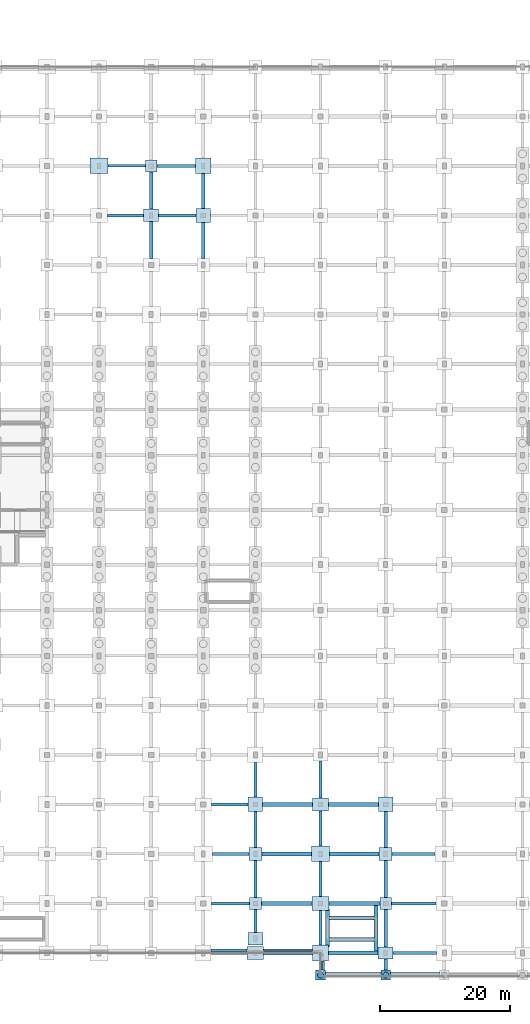
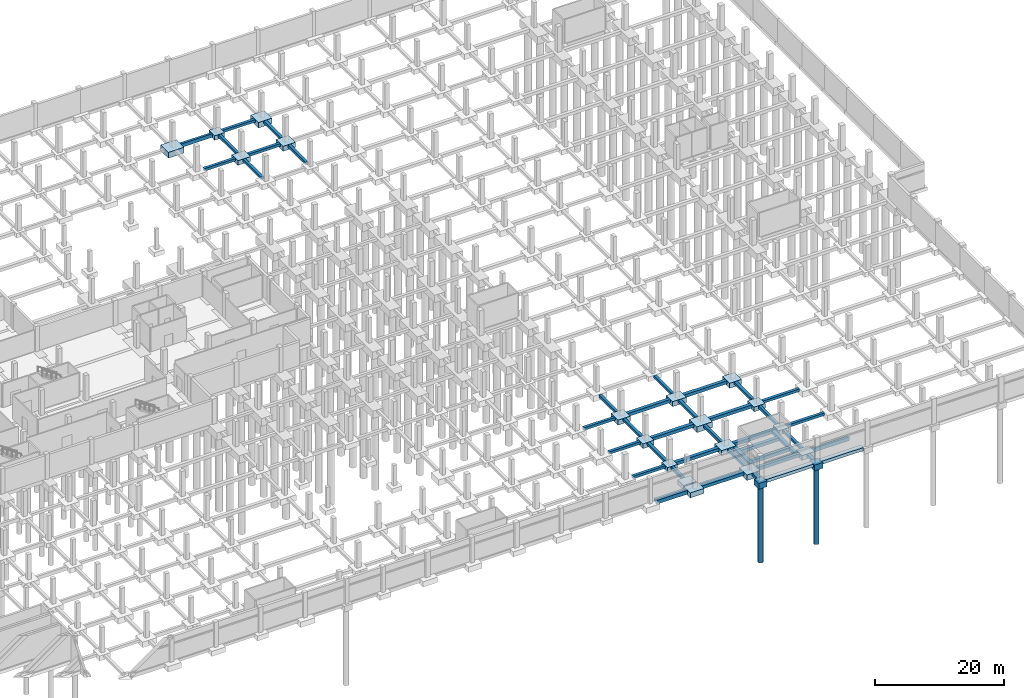
# One storey, part 17 of 50: 65 footings, 2 piles.
"""IFC4 building model written with IfcOpenShell, lengths in metres."""

from ifc_helpers import new_model, si_unit, direction, frame, origin, origin_2d, place, context, subcontext, project, spatial, polyline, rectangle, circle, outline, extrude, material, material_profile, profile_set, type_object, element, save


model = new_model("IFC4")

# Units and contexts
model_context = context("Model", 3, precision=1e-05, world=origin(), true_north=direction((0.0, 1.0)))
body_context = subcontext(model_context, "Body", "Model", "MODEL_VIEW")
ifc_project = project(units=[si_unit("LENGTHUNIT", "METRE"), si_unit("AREAUNIT", "SQUARE_METRE"), si_unit("VOLUMEUNIT", "CUBIC_METRE"), si_unit("PLANEANGLEUNIT", "RADIAN"), si_unit("MASSUNIT", "GRAM", prefix="KILO")], contexts=[model_context])

# Site, building, storey
site_placement = place(None, origin())
site = spatial("IfcSite", under=ifc_project, at=site_placement, CompositionType="ELEMENT")
building_placement = place(site_placement, origin())
building = spatial("IfcBuilding", under=site, at=building_placement, Name="Vekula Escarpment Museum", CompositionType="ELEMENT")
storey_placement = place(building_placement, frame((0.0, 0.0, -4.800048828125)))
storey = spatial("IfcBuildingStorey", under=building, at=storey_placement, Name="B1", CompositionType="ELEMENT", Elevation=-4.800048828125)

# Footings
ifc_material_1 = material(Name="Concrete C35/45", Category="concrete")
footing_type_1 = type_object("IfcFootingType", Name="FB-STRIP-600", PredefinedType="STRIP_FOOTING", material=ifc_material_1)
footing_1_placement = place(storey_placement, frame((0.0, 0.0, -0.599853515625)))
element("IfcFooting", 1, at=footing_1_placement, inside=storey, type_object=footing_type_1, Name="Plinth Wall Strip Footing 0075", PredefinedType="STRIP_FOOTING", context=body_context, shape_type="SweptSolid", body=[
    extrude(outline(polyline([(124.74609375, 0.64501953125), (124.74609375, 0.2041015625), (119.2041015625, 0.2041015625), (119.2041015625, 0.64501953125), (124.74609375, 0.64501953125)])), origin(), (0.0, 0.0, 1.0), 0.599853515625),
])
footing_2_placement = place(storey_placement, frame((0.0, 0.0, -0.599853515625)))
element("IfcFooting", 2, at=footing_2_placement, inside=storey, type_object=footing_type_1, Name="Plinth Wall Strip Footing 0076", PredefinedType="STRIP_FOOTING", context=body_context, shape_type="SweptSolid", body=[
    extrude(outline(polyline([(134.7958984375, 0.64501953125), (134.7958984375, 0.303955078125), (127.25390625, 0.303955078125), (127.25390625, 0.64501953125), (134.7958984375, 0.64501953125)])), origin(), (0.0, 0.0, 1.0), 0.599853515625),
])
footing_3_placement = place(storey_placement, frame((0.0, 0.0, -0.599853515625)))
element("IfcFooting", 3, at=footing_3_placement, inside=storey, type_object=footing_type_1, Name="Plinth Wall Strip Footing 0077", PredefinedType="STRIP_FOOTING", context=body_context, shape_type="SweptSolid", body=[
    extrude(outline(polyline([(136.64501953125, -2.64599609375), (136.25390625, -2.64599609375), (136.25390625, -1.2041015625), (136.64501953125, -1.2041015625), (136.64501953125, -2.64599609375)])), origin(), (0.0, 0.0, 1.0), 0.599853515625),
])
footing_4_placement = place(storey_placement, frame((0.0, 0.0, -0.599853515625)))
element("IfcFooting", 4, at=footing_4_placement, inside=storey, type_object=footing_type_1, Name="Plinth Wall Strip Footing 0078", PredefinedType="STRIP_FOOTING", context=body_context, shape_type="SweptSolid", body=[
    extrude(outline(polyline([(136.75390625, -3.794921875), (136.75390625, -2.955078125), (145.24609375, -2.955078125), (145.24609375, -3.794921875), (136.75390625, -3.794921875)])), origin(), (0.0, 0.0, 1.0), 0.599853515625),
])
footing_5_placement = place(storey_placement, frame((0.0, 0.0, -0.599853515625)))
element("IfcFooting", 5, at=footing_5_placement, inside=storey, type_object=footing_type_1, Name="Plinth Wall Strip Footing 0079", PredefinedType="STRIP_FOOTING", context=body_context, shape_type="SweptSolid", body=[
    extrude(outline(polyline([(146.75390625, -3.794921875), (146.75390625, -2.955078125), (154.24609375, -2.955078125), (154.24609375, -3.794921875), (146.75390625, -3.794921875)])), origin(), (0.0, 0.0, 1.0), 0.599853515625),
])
footing_6_placement = place(storey_placement, frame((0.0, 0.0, -0.599853515625)))
element("IfcFooting", 6, at=footing_6_placement, inside=storey, type_object=footing_type_1, Name="Stair Core Strip Footing ST-06 W", PredefinedType="STRIP_FOOTING", context=body_context, shape_type="SweptSolid", body=[
    extrude(outline(polyline([(137.375, 6.81591796875), (137.375, 0.884033203125), (137.2041015625, 0.884033203125), (137.2041015625, 1.2041015625), (136.77490234375, 1.2041015625), (136.77490234375, 6.49609375), (137.303955078125, 6.49609375), (137.303955078125, 6.81591796875), (137.375, 6.81591796875)])), origin(), (0.0, 0.0, 1.0), 0.599853515625),
])
footing_7_placement = place(storey_placement, frame((0.0, 0.0, -0.599853515625)))
element("IfcFooting", 7, at=footing_7_placement, inside=storey, type_object=footing_type_1, Name="Stair Core Strip Footing ST-06 E", PredefinedType="STRIP_FOOTING", context=body_context, shape_type="SweptSolid", body=[
    extrude(outline(polyline([(144.824951171875, 0.303955078125), (144.22509765625, 0.303955078125), (144.22509765625, 7.2958984375), (144.824951171875, 7.2958984375), (144.824951171875, 0.303955078125)])), origin(), (0.0, 0.0, 1.0), 0.599853515625),
])
footing_8_placement = place(storey_placement, frame((0.0, 0.0, -0.599853515625)))
element("IfcFooting", 8, at=footing_8_placement, inside=storey, type_object=footing_type_1, Name="Stair Core Strip Footing ST-06 S", PredefinedType="STRIP_FOOTING", context=body_context, shape_type="SweptSolid", body=[
    extrude(outline(polyline([(137.37890625, 1.77490234375), (137.37890625, 2.375), (144.220947265625, 2.375), (144.220947265625, 1.77490234375), (137.37890625, 1.77490234375)])), origin(), (0.0, 0.0, 1.0), 0.599853515625),
])
footing_9_placement = place(storey_placement, frame((0.0, 0.0, -0.599853515625)))
element("IfcFooting", 9, at=footing_9_placement, inside=storey, type_object=footing_type_1, Name="Stair Core Strip Footing ST-06 N", PredefinedType="STRIP_FOOTING", context=body_context, shape_type="SweptSolid", body=[
    extrude(outline(polyline([(137.37890625, 5.06494140625), (137.37890625, 5.6650390625), (144.220947265625, 5.6650390625), (144.220947265625, 5.06494140625), (137.37890625, 5.06494140625)])), origin(), (0.0, 0.0, 1.0), 0.599853515625),
])
ifc_material_2 = material(Name="Concrete C35/45", Category="concrete")
ifc_material_profile_1 = material_profile(ifc_material_2, rectangle(XDim=0.39990234375, YDim=0.699951171875, at=origin_2d()), Name="RC 400x700")
ifc_profile_set_1 = profile_set([ifc_material_profile_1], Name="Concrete C35/45")
footing_type_2 = type_object("IfcFootingType", Name="FB-TIE-400x700", PredefinedType="FOOTING_BEAM", material=ifc_profile_set_1)
footing_10_placement = place(storey_placement, frame((119.199951171875, 0.0, -0.349853515625), z_axis=(1.0, 0.0, 0.0), x_axis=(0.0, 1.0, 0.0)))
element("IfcFooting", 10, at=footing_10_placement, inside=storey, type_object=footing_type_2, Name="Foundation Tie Beam 018", PredefinedType="FOOTING_BEAM", context=body_context, shape_type="SweptSolid", body=[
    extrude(rectangle(XDim=0.39990234375, YDim=0.699951171875, at=origin_2d()), origin(), (0.0, 0.0, 1.0), 5.550048828125),
])
footing_11_placement = place(storey_placement, frame((147.14990234375, 0.0, -0.349853515625), z_axis=(1.0, 0.0, 0.0), x_axis=(0.0, 1.0, 0.0)))
element("IfcFooting", 11, at=footing_11_placement, inside=storey, type_object=footing_type_2, Name="Foundation Tie Beam 021", PredefinedType="FOOTING_BEAM", context=body_context, shape_type="SweptSolid", body=[
    extrude(rectangle(XDim=0.39990234375, YDim=0.699951171875, at=origin_2d()), origin(), (0.0, 0.0, 1.0), 6.650146484375),
])
footing_12_placement = place(storey_placement, frame((103.39990234375, 120.800048828125, -0.349853515625), z_axis=(1.0, 0.0, 0.0), x_axis=(0.0, 1.0, 0.0)))
element("IfcFooting", 12, at=footing_12_placement, inside=storey, type_object=footing_type_2, Name="Foundation Tie Beam 348", PredefinedType="FOOTING_BEAM", context=body_context, shape_type="SweptSolid", body=[
    extrude(rectangle(XDim=0.39990234375, YDim=0.699951171875, at=origin_2d()), origin(), (0.0, 0.0, 1.0), 5.7001953125),
])
ifc_material_3 = material(Name="Concrete C35/45", Category="concrete")
ifc_material_profile_2 = material_profile(ifc_material_3, rectangle(XDim=0.5, YDim=0.5, at=origin_2d()), Name="RC 500x500")
ifc_profile_set_2 = profile_set([ifc_material_profile_2], Name="Concrete C35/45")
footing_type_3 = type_object("IfcFootingType", Name="FB-TIE-500x500", PredefinedType="FOOTING_BEAM", material=ifc_profile_set_2)
footing_13_placement = place(storey_placement, frame((119.300048828125, 7.60009765625, -0.25), z_axis=(1.0, 0.0, 0.0), x_axis=(0.0, 1.0, 0.0)))
element("IfcFooting", 13, at=footing_13_placement, inside=storey, type_object=footing_type_3, Name="Foundation Tie Beam 037", PredefinedType="FOOTING_BEAM", context=body_context, shape_type="SweptSolid", body=[
    extrude(rectangle(XDim=0.5, YDim=0.5, at=origin_2d()), origin(), (0.0, 0.0, 1.0), 5.800048828125),
])
footing_14_placement = place(storey_placement, frame((146.89990234375, 7.60009765625, -0.25), z_axis=(1.0, 0.0, 0.0), x_axis=(0.0, 1.0, 0.0)))
element("IfcFooting", 14, at=footing_14_placement, inside=storey, type_object=footing_type_3, Name="Foundation Tie Beam 040", PredefinedType="FOOTING_BEAM", context=body_context, shape_type="SweptSolid", body=[
    extrude(rectangle(XDim=0.5, YDim=0.5, at=origin_2d()), origin(), (0.0, 0.0, 1.0), 6.800048828125),
])
footing_15_placement = place(storey_placement, frame((119.39990234375, 15.199951171875, -0.25), z_axis=(1.0, 0.0, 0.0), x_axis=(0.0, 1.0, 0.0)))
element("IfcFooting", 15, at=footing_15_placement, inside=storey, type_object=footing_type_3, Name="Foundation Tie Beam 056", PredefinedType="FOOTING_BEAM", context=body_context, shape_type="SweptSolid", body=[
    extrude(rectangle(XDim=0.5, YDim=0.5, at=origin_2d()), origin(), (0.0, 0.0, 1.0), 5.60009765625),
])
footing_16_placement = place(storey_placement, frame((147.0, 15.199951171875, -0.25), z_axis=(1.0, 0.0, 0.0), x_axis=(0.0, 1.0, 0.0)))
element("IfcFooting", 16, at=footing_16_placement, inside=storey, type_object=footing_type_3, Name="Foundation Tie Beam 059", PredefinedType="FOOTING_BEAM", context=body_context, shape_type="SweptSolid", body=[
    extrude(rectangle(XDim=0.5, YDim=0.5, at=origin_2d()), origin(), (0.0, 0.0, 1.0), 6.60009765625),
])
footing_17_placement = place(storey_placement, frame((119.25, 22.800048828125, -0.25), z_axis=(1.0, 0.0, 0.0), x_axis=(0.0, 1.0, 0.0)))
element("IfcFooting", 17, at=footing_17_placement, inside=storey, type_object=footing_type_3, Name="Foundation Tie Beam 074", PredefinedType="FOOTING_BEAM", context=body_context, shape_type="SweptSolid", body=[
    extrude(rectangle(XDim=0.5, YDim=0.5, at=origin_2d()), origin(), (0.0, 0.0, 1.0), 5.64990234375),
])
footing_18_placement = place(storey_placement, frame((103.300048828125, 113.199951171875, -0.25), z_axis=(1.0, 0.0, 0.0), x_axis=(0.0, 1.0, 0.0)))
element("IfcFooting", 18, at=footing_18_placement, inside=storey, type_object=footing_type_3, Name="Foundation Tie Beam 325", PredefinedType="FOOTING_BEAM", context=body_context, shape_type="SweptSolid", body=[
    extrude(rectangle(XDim=0.5, YDim=0.5, at=origin_2d()), origin(), (0.0, 0.0, 1.0), 5.550048828125),
])
footing_19_placement = place(storey_placement, frame((111.14990234375, 113.199951171875, -0.25), z_axis=(1.0, 0.0, 0.0), x_axis=(0.0, 1.0, 0.0)))
element("IfcFooting", 19, at=footing_19_placement, inside=storey, type_object=footing_type_3, Name="Foundation Tie Beam 326", PredefinedType="FOOTING_BEAM", context=body_context, shape_type="SweptSolid", body=[
    extrude(rectangle(XDim=0.5, YDim=0.5, at=origin_2d()), origin(), (0.0, 0.0, 1.0), 5.75),
])
footing_20_placement = place(storey_placement, frame((110.89990234375, 120.800048828125, -0.25), z_axis=(1.0, 0.0, 0.0), x_axis=(0.0, 1.0, 0.0)))
element("IfcFooting", 20, at=footing_20_placement, inside=storey, type_object=footing_type_3, Name="Foundation Tie Beam 349", PredefinedType="FOOTING_BEAM", context=body_context, shape_type="SweptSolid", body=[
    extrude(rectangle(XDim=0.5, YDim=0.5, at=origin_2d()), origin(), (0.0, 0.0, 1.0), 5.900146484375),
])
footing_21_placement = place(storey_placement, frame((110.0, 106.60009765625, -0.25), z_axis=(0.0, 1.0, 0.0), x_axis=(-1.0, 0.0, 0.0)))
element("IfcFooting", 21, at=footing_21_placement, inside=storey, type_object=footing_type_3, Name="Foundation Tie Beam 642", PredefinedType="FOOTING_BEAM", context=body_context, shape_type="SweptSolid", body=[
    extrude(rectangle(XDim=0.5, YDim=0.5, at=origin_2d()), origin(), (0.0, 0.0, 1.0), 5.64990234375),
])
footing_22_placement = place(storey_placement, frame((110.0, 114.14990234375, -0.25), z_axis=(0.0, 1.0, 0.0), x_axis=(-1.0, 0.0, 0.0)))
element("IfcFooting", 22, at=footing_22_placement, inside=storey, type_object=footing_type_3, Name="Foundation Tie Beam 643", PredefinedType="FOOTING_BEAM", context=body_context, shape_type="SweptSolid", body=[
    extrude(rectangle(XDim=0.5, YDim=0.5, at=origin_2d()), origin(), (0.0, 0.0, 1.0), 5.75),
])
footing_23_placement = place(storey_placement, frame((118.0, 106.60009765625, -0.25), z_axis=(0.0, 1.0, 0.0), x_axis=(-1.0, 0.0, 0.0)))
element("IfcFooting", 23, at=footing_23_placement, inside=storey, type_object=footing_type_3, Name="Foundation Tie Beam 660", PredefinedType="FOOTING_BEAM", context=body_context, shape_type="SweptSolid", body=[
    extrude(rectangle(XDim=0.5, YDim=0.5, at=origin_2d()), origin(), (0.0, 0.0, 1.0), 5.5),
])
footing_24_placement = place(storey_placement, frame((118.0, 114.300048828125, -0.25), z_axis=(0.0, 1.0, 0.0), x_axis=(-1.0, 0.0, 0.0)))
element("IfcFooting", 24, at=footing_24_placement, inside=storey, type_object=footing_type_3, Name="Foundation Tie Beam 661", PredefinedType="FOOTING_BEAM", context=body_context, shape_type="SweptSolid", body=[
    extrude(rectangle(XDim=0.5, YDim=0.5, at=origin_2d()), origin(), (0.0, 0.0, 1.0), 5.300048828125),
])
footing_25_placement = place(storey_placement, frame((126.0, 3.14990234375, -0.25), z_axis=(0.0, 1.0, 0.0), x_axis=(-1.0, 0.0, 0.0)))
element("IfcFooting", 25, at=footing_25_placement, inside=storey, type_object=footing_type_3, Name="Foundation Tie Beam 664", PredefinedType="FOOTING_BEAM", context=body_context, shape_type="SweptSolid", body=[
    extrude(rectangle(XDim=0.5, YDim=0.5, at=origin_2d()), origin(), (0.0, 0.0, 1.0), 3.550048828125),
])
footing_26_placement = place(storey_placement, frame((126.0, 8.5, -0.25), z_axis=(0.0, 1.0, 0.0), x_axis=(-1.0, 0.0, 0.0)))
element("IfcFooting", 26, at=footing_26_placement, inside=storey, type_object=footing_type_3, Name="Foundation Tie Beam 665", PredefinedType="FOOTING_BEAM", context=body_context, shape_type="SweptSolid", body=[
    extrude(rectangle(XDim=0.5, YDim=0.5, at=origin_2d()), origin(), (0.0, 0.0, 1.0), 5.699951171875),
])
footing_27_placement = place(storey_placement, frame((126.0, 16.199951171875, -0.25), z_axis=(0.0, 1.0, 0.0), x_axis=(-1.0, 0.0, 0.0)))
element("IfcFooting", 27, at=footing_27_placement, inside=storey, type_object=footing_type_3, Name="Foundation Tie Beam 666", PredefinedType="FOOTING_BEAM", context=body_context, shape_type="SweptSolid", body=[
    extrude(rectangle(XDim=0.5, YDim=0.5, at=origin_2d()), origin(), (0.0, 0.0, 1.0), 5.5),
])
footing_28_placement = place(storey_placement, frame((126.0, 23.89990234375, -0.25), z_axis=(0.0, 1.0, 0.0), x_axis=(-1.0, 0.0, 0.0)))
element("IfcFooting", 28, at=footing_28_placement, inside=storey, type_object=footing_type_3, Name="Foundation Tie Beam 667", PredefinedType="FOOTING_BEAM", context=body_context, shape_type="SweptSolid", body=[
    extrude(rectangle(XDim=0.5, YDim=0.5, at=origin_2d()), origin(), (0.0, 0.0, 1.0), 5.300048828125),
])
footing_29_placement = place(storey_placement, frame((136.0, -2.64990234375, -0.25), z_axis=(0.0, 1.0, 0.0), x_axis=(-1.0, 0.0, 0.0)))
element("IfcFooting", 29, at=footing_29_placement, inside=storey, type_object=footing_type_3, Name="Foundation Tie Beam 682", PredefinedType="FOOTING_BEAM", context=body_context, shape_type="SweptSolid", body=[
    extrude(rectangle(XDim=0.5, YDim=0.5, at=origin_2d()), origin(), (0.0, 0.0, 1.0), 1.449951171875),
])
for number, where, z_axis, x_axis, name in (
    (30, (136.0, 1.199951171875, -0.25), (0.0, 1.0, 0.0), (-1.0, 0.0, 0.0), "Foundation Tie Beam 683"),
    (31, (136.0, 8.699951171875, -0.25), (0.0, 1.0, 0.0), (-1.0, 0.0, 0.0), "Foundation Tie Beam 684"),
):
    element("IfcFooting", number, at=place(storey_placement, frame(where, z_axis=z_axis, x_axis=x_axis)), inside=storey, type_object=footing_type_3, Name=name, PredefinedType="FOOTING_BEAM", context=body_context, shape_type="SweptSolid", body=[
        extrude(rectangle(XDim=0.5, YDim=0.5, at=origin_2d()), origin(), (0.0, 0.0, 1.0), 5.300048828125),
    ])
footing_30_placement = place(storey_placement, frame((136.0, 16.39990234375, -0.25), z_axis=(0.0, 1.0, 0.0), x_axis=(-1.0, 0.0, 0.0)))
element("IfcFooting", 32, at=footing_30_placement, inside=storey, type_object=footing_type_3, Name="Foundation Tie Beam 685", PredefinedType="FOOTING_BEAM", context=body_context, shape_type="SweptSolid", body=[
    extrude(rectangle(XDim=0.5, YDim=0.5, at=origin_2d()), origin(), (0.0, 0.0, 1.0), 5.400146484375),
])
footing_31_placement = place(storey_placement, frame((136.0, 23.800048828125, -0.25), z_axis=(0.0, 1.0, 0.0), x_axis=(-1.0, 0.0, 0.0)))
element("IfcFooting", 33, at=footing_31_placement, inside=storey, type_object=footing_type_3, Name="Foundation Tie Beam 686", PredefinedType="FOOTING_BEAM", context=body_context, shape_type="SweptSolid", body=[
    extrude(rectangle(XDim=0.5, YDim=0.5, at=origin_2d()), origin(), (0.0, 0.0, 1.0), 5.64990234375),
])
footing_32_placement = place(storey_placement, frame((146.0, -2.64990234375, -0.25), z_axis=(0.0, 1.0, 0.0), x_axis=(-1.0, 0.0, 0.0)))
element("IfcFooting", 34, at=footing_32_placement, inside=storey, type_object=footing_type_3, Name="Foundation Tie Beam 701", PredefinedType="FOOTING_BEAM", context=body_context, shape_type="SweptSolid", body=[
    extrude(rectangle(XDim=0.5, YDim=0.5, at=origin_2d()), origin(), (0.0, 0.0, 1.0), 1.699951171875),
])
footing_33_placement = place(storey_placement, frame((146.0, 0.949951171875, -0.25), z_axis=(0.0, 1.0, 0.0), x_axis=(-1.0, 0.0, 0.0)))
element("IfcFooting", 35, at=footing_33_placement, inside=storey, type_object=footing_type_3, Name="Foundation Tie Beam 702", PredefinedType="FOOTING_BEAM", context=body_context, shape_type="SweptSolid", body=[
    extrude(rectangle(XDim=0.5, YDim=0.5, at=origin_2d()), origin(), (0.0, 0.0, 1.0), 5.75),
])
footing_34_placement = place(storey_placement, frame((146.0, 8.5, -0.25), z_axis=(0.0, 1.0, 0.0), x_axis=(-1.0, 0.0, 0.0)))
element("IfcFooting", 36, at=footing_34_placement, inside=storey, type_object=footing_type_3, Name="Foundation Tie Beam 703", PredefinedType="FOOTING_BEAM", context=body_context, shape_type="SweptSolid", body=[
    extrude(rectangle(XDim=0.5, YDim=0.5, at=origin_2d()), origin(), (0.0, 0.0, 1.0), 5.699951171875),
])
footing_35_placement = place(storey_placement, frame((146.0, 16.199951171875, -0.25), z_axis=(0.0, 1.0, 0.0), x_axis=(-1.0, 0.0, 0.0)))
element("IfcFooting", 37, at=footing_35_placement, inside=storey, type_object=footing_type_3, Name="Foundation Tie Beam 704", PredefinedType="FOOTING_BEAM", context=body_context, shape_type="SweptSolid", body=[
    extrude(rectangle(XDim=0.5, YDim=0.5, at=origin_2d()), origin(), (0.0, 0.0, 1.0), 5.5),
])
ifc_material_4 = material(Name="Concrete C35/45", Category="concrete")
ifc_material_profile_3 = material_profile(ifc_material_4, rectangle(XDim=0.60009765625, YDim=0.60009765625, at=origin_2d()), Name="RC 600x600")
ifc_profile_set_3 = profile_set([ifc_material_profile_3], Name="Concrete C35/45")
footing_type_4 = type_object("IfcFootingType", Name="FB-TIE-600x600", PredefinedType="FOOTING_BEAM", material=ifc_profile_set_3)
footing_36_placement = place(storey_placement, frame((127.25, 0.0, -0.300048828125), z_axis=(1.0, 0.0, 0.0), x_axis=(0.0, 1.0, 0.0)))
element("IfcFooting", 38, at=footing_36_placement, inside=storey, type_object=footing_type_4, Name="Foundation Tie Beam 019", PredefinedType="FOOTING_BEAM", context=body_context, shape_type="SweptSolid", body=[
    extrude(rectangle(XDim=0.60009765625, YDim=0.60009765625, at=origin_2d()), origin(), (0.0, 0.0, 1.0), 7.550048828125),
])
footing_37_placement = place(storey_placement, frame((137.199951171875, 0.0, -0.300048828125), z_axis=(1.0, 0.0, 0.0), x_axis=(0.0, 1.0, 0.0)))
element("IfcFooting", 39, at=footing_37_placement, inside=storey, type_object=footing_type_4, Name="Foundation Tie Beam 020", PredefinedType="FOOTING_BEAM", context=body_context, shape_type="SweptSolid", body=[
    extrude(rectangle(XDim=0.60009765625, YDim=0.60009765625, at=origin_2d()), origin(), (0.0, 0.0, 1.0), 7.650146484375),
])
for number, where, z_axis, x_axis, name in (
    (40, (126.89990234375, 7.60009765625, -0.300048828125), (1.0, 0.0, 0.0), (0.0, 1.0, 0.0), "Foundation Tie Beam 038"),
    (41, (137.300048828125, 7.60009765625, -0.300048828125), (1.0, 0.0, 0.0), (0.0, 1.0, 0.0), "Foundation Tie Beam 039"),
):
    element("IfcFooting", number, at=place(storey_placement, frame(where, z_axis=z_axis, x_axis=x_axis)), inside=storey, type_object=footing_type_4, Name=name, PredefinedType="FOOTING_BEAM", context=body_context, shape_type="SweptSolid", body=[
        extrude(rectangle(XDim=0.60009765625, YDim=0.60009765625, at=origin_2d()), origin(), (0.0, 0.0, 1.0), 7.800048828125),
    ])
for number, where, z_axis, x_axis, name in (
    (42, (127.0, 15.199951171875, -0.300048828125), (1.0, 0.0, 0.0), (0.0, 1.0, 0.0), "Foundation Tie Beam 057"),
    (43, (137.39990234375, 15.199951171875, -0.300048828125), (1.0, 0.0, 0.0), (0.0, 1.0, 0.0), "Foundation Tie Beam 058"),
):
    element("IfcFooting", number, at=place(storey_placement, frame(where, z_axis=z_axis, x_axis=x_axis)), inside=storey, type_object=footing_type_4, Name=name, PredefinedType="FOOTING_BEAM", context=body_context, shape_type="SweptSolid", body=[
        extrude(rectangle(XDim=0.60009765625, YDim=0.60009765625, at=origin_2d()), origin(), (0.0, 0.0, 1.0), 7.60009765625),
    ])
for number, where, z_axis, x_axis, name in (
    (44, (127.10009765625, 22.800048828125, -0.300048828125), (1.0, 0.0, 0.0), (0.0, 1.0, 0.0), "Foundation Tie Beam 075"),
    (45, (137.25, 22.800048828125, -0.300048828125), (1.0, 0.0, 0.0), (0.0, 1.0, 0.0), "Foundation Tie Beam 076"),
):
    element("IfcFooting", number, at=place(storey_placement, frame(where, z_axis=z_axis, x_axis=x_axis)), inside=storey, type_object=footing_type_4, Name=name, PredefinedType="FOOTING_BEAM", context=body_context, shape_type="SweptSolid", body=[
        extrude(rectangle(XDim=0.60009765625, YDim=0.60009765625, at=origin_2d()), origin(), (0.0, 0.0, 1.0), 7.64990234375),
    ])
ifc_material_5 = material(Name="Concrete C35/45", Category="concrete")
footing_type_5 = type_object("IfcFootingType", Name="FC-PAD1", PredefinedType="PAD_FOOTING", material=ifc_material_5)
footing_38_placement = place(storey_placement, frame((0.0, 0.0, -0.849853515625)))
element("IfcFooting", 46, at=footing_38_placement, inside=storey, type_object=footing_type_5, Name="Foundation FC-PAD1 (110.0,120.8)", PredefinedType="PAD_FOOTING", context=body_context, shape_type="SweptSolid", body=[
    extrude(outline(polyline([(109.10009765625, 119.89990234375), (110.89990234375, 119.89990234375), (110.89990234375, 121.699951171875), (109.10009765625, 121.699951171875), (109.10009765625, 119.89990234375)])), origin(), (0.0, 0.0, 1.0), 0.849853515625),
])
footing_39_placement = place(storey_placement, frame((0.0, 0.0, -0.849853515625)))
element("IfcFooting", 47, at=footing_39_placement, inside=storey, type_object=footing_type_5, Name="Foundation FC-PAD1 (126.0,7.6)", PredefinedType="PAD_FOOTING", context=body_context, shape_type="SweptSolid", body=[
    extrude(outline(polyline([(125.10009765625, 6.699951171875), (126.89990234375, 6.699951171875), (126.89990234375, 8.5), (125.10009765625, 8.5), (125.10009765625, 6.699951171875)])), origin(), (0.0, 0.0, 1.0), 0.849853515625),
])
footing_40_placement = place(storey_placement, frame((0.0, 0.0, -0.849853515625)))
element("IfcFooting", 48, at=footing_40_placement, inside=storey, type_object=footing_type_5, Name="Foundation FC-PAD1 (146.0,7.6)", PredefinedType="PAD_FOOTING", context=body_context, shape_type="SweptSolid", body=[
    extrude(outline(polyline([(145.10009765625, 6.699951171875), (146.89990234375, 6.699951171875), (146.89990234375, 8.5), (145.10009765625, 8.5), (145.10009765625, 6.699951171875)])), origin(), (0.0, 0.0, 1.0), 0.849853515625),
])
ifc_material_6 = material(Name="Concrete C35/45", Category="concrete")
footing_type_6 = type_object("IfcFootingType", Name="FC-PAD2", PredefinedType="PAD_FOOTING", material=ifc_material_6)
footing_41_placement = place(storey_placement, frame((0.0, 0.0, -0.89990234375)))
element("IfcFooting", 49, at=footing_41_placement, inside=storey, type_object=footing_type_6, Name="Foundation FC-PAD2 (126.0,15.2)", PredefinedType="PAD_FOOTING", context=body_context, shape_type="SweptSolid", body=[
    extrude(outline(polyline([(125.0, 14.199951171875), (127.0, 14.199951171875), (127.0, 16.199951171875), (125.0, 16.199951171875), (125.0, 14.199951171875)])), origin(), (0.0, 0.0, 1.0), 0.89990234375),
])
footing_42_placement = place(storey_placement, frame((0.0, 0.0, -0.89990234375)))
element("IfcFooting", 50, at=footing_42_placement, inside=storey, type_object=footing_type_6, Name="Foundation FC-PAD2 (146.0,15.2)", PredefinedType="PAD_FOOTING", context=body_context, shape_type="SweptSolid", body=[
    extrude(outline(polyline([(145.0, 14.199951171875), (147.0, 14.199951171875), (147.0, 16.199951171875), (145.0, 16.199951171875), (145.0, 14.199951171875)])), origin(), (0.0, 0.0, 1.0), 0.89990234375),
])
ifc_material_7 = material(Name="Concrete C35/45", Category="concrete")
footing_type_7 = type_object("IfcFootingType", Name="FC-PAD3", PredefinedType="PAD_FOOTING", material=ifc_material_7)
footing_43_placement = place(storey_placement, frame((0.0, 0.0, -0.949951171875)))
element("IfcFooting", 51, at=footing_43_placement, inside=storey, type_object=footing_type_7, Name="Foundation FC-PAD3 (118.0,113.2)", PredefinedType="PAD_FOOTING", context=body_context, shape_type="SweptSolid", body=[
    extrude(outline(polyline([(116.89990234375, 112.10009765625), (119.10009765625, 112.10009765625), (119.10009765625, 114.300048828125), (116.89990234375, 114.300048828125), (116.89990234375, 112.10009765625)])), origin(), (0.0, 0.0, 1.0), 0.949951171875),
])
footing_44_placement = place(storey_placement, frame((0.0, 0.0, -0.949951171875)))
element("IfcFooting", 52, at=footing_44_placement, inside=storey, type_object=footing_type_7, Name="Foundation FC-PAD3 (126.0,22.8)", PredefinedType="PAD_FOOTING", context=body_context, shape_type="SweptSolid", body=[
    extrude(outline(polyline([(124.89990234375, 21.699951171875), (127.10009765625, 21.699951171875), (127.10009765625, 23.89990234375), (124.89990234375, 23.89990234375), (124.89990234375, 21.699951171875)])), origin(), (0.0, 0.0, 1.0), 0.949951171875),
])
footing_45_placement = place(storey_placement, frame((0.0, 0.0, -0.949951171875)))
element("IfcFooting", 53, at=footing_45_placement, inside=storey, type_object=footing_type_7, Name="Foundation FC-PAD3 (146.0,22.8)", PredefinedType="PAD_FOOTING", context=body_context, shape_type="SweptSolid", body=[
    extrude(outline(polyline([(144.89990234375, 21.699951171875), (147.10009765625, 21.699951171875), (147.10009765625, 23.89990234375), (144.89990234375, 23.89990234375), (144.89990234375, 21.699951171875)])), origin(), (0.0, 0.0, 1.0), 0.949951171875),
])
ifc_material_8 = material(Name="Concrete C35/45", Category="concrete")
footing_type_8 = type_object("IfcFootingType", Name="FC-PAD4", PredefinedType="PAD_FOOTING", material=ifc_material_8)
footing_46_placement = place(storey_placement, frame((0.0, 0.0, -1.050048828125)))
element("IfcFooting", 54, at=footing_46_placement, inside=storey, type_object=footing_type_8, Name="Foundation FC-PAD4 (118.0,120.8)", PredefinedType="PAD_FOOTING", context=body_context, shape_type="SweptSolid", body=[
    extrude(outline(polyline([(116.800048828125, 119.60009765625), (119.199951171875, 119.60009765625), (119.199951171875, 122.0), (116.800048828125, 122.0), (116.800048828125, 119.60009765625)])), origin(), (0.0, 0.0, 1.0), 1.050048828125),
])
footing_47_placement = place(storey_placement, frame((0.0, 0.0, -1.050048828125)))
element("IfcFooting", 55, at=footing_47_placement, inside=storey, type_object=footing_type_8, Name="Foundation FC-PAD4 (136.0,0.0)", PredefinedType="PAD_FOOTING", context=body_context, shape_type="SweptSolid", body=[
    extrude(outline(polyline([(134.800048828125, -1.199951171875), (137.199951171875, -1.199951171875), (137.199951171875, 1.199951171875), (134.800048828125, 1.199951171875), (134.800048828125, -1.199951171875)])), origin(), (0.0, 0.0, 1.0), 1.050048828125),
])
ifc_material_9 = material(Name="Concrete C35/45", Category="concrete")
footing_type_9 = type_object("IfcFootingType", Name="FC-PAD5", PredefinedType="PAD_FOOTING", material=ifc_material_9)
footing_48_placement = place(storey_placement, frame((0.0, 0.0, -1.0)))
element("IfcFooting", 56, at=footing_48_placement, inside=storey, type_object=footing_type_9, Name="Foundation FC-PAD5 (136.0,7.6)", PredefinedType="PAD_FOOTING", context=body_context, shape_type="SweptSolid", body=[
    extrude(outline(polyline([(134.699951171875, 6.5), (137.300048828125, 6.5), (137.300048828125, 8.699951171875), (134.699951171875, 8.699951171875), (134.699951171875, 6.5)])), origin(), (0.0, 0.0, 1.0), 1.0),
])
ifc_material_10 = material(Name="Concrete C35/45", Category="concrete")
footing_type_10 = type_object("IfcFootingType", Name="FC-PAD6", PredefinedType="PAD_FOOTING", material=ifc_material_10)
footing_49_placement = place(storey_placement, frame((0.0, 0.0, -1.099853515625)))
element("IfcFooting", 57, at=footing_49_placement, inside=storey, type_object=footing_type_10, Name="Foundation FC-PAD6 (102.0,120.8)", PredefinedType="PAD_FOOTING", context=body_context, shape_type="SweptSolid", body=[
    extrude(outline(polyline([(100.60009765625, 119.60009765625), (103.39990234375, 119.60009765625), (103.39990234375, 122.0), (100.60009765625, 122.0), (100.60009765625, 119.60009765625)])), origin(), (0.0, 0.0, 1.0), 1.099853515625),
])
footing_50_placement = place(storey_placement, frame((0.0, 0.0, -1.099853515625)))
element("IfcFooting", 58, at=footing_50_placement, inside=storey, type_object=footing_type_10, Name="Foundation FC-PAD6 (136.0,15.2)", PredefinedType="PAD_FOOTING", context=body_context, shape_type="SweptSolid", body=[
    extrude(outline(polyline([(134.60009765625, 14.0), (137.39990234375, 14.0), (137.39990234375, 16.39990234375), (134.60009765625, 16.39990234375), (134.60009765625, 14.0)])), origin(), (0.0, 0.0, 1.0), 1.099853515625),
])
ifc_material_11 = material(Name="Concrete C35/45", Category="concrete")
footing_type_11 = type_object("IfcFootingType", Name="FC-PAD7", PredefinedType="PAD_FOOTING", material=ifc_material_11)
footing_51_placement = place(storey_placement, frame((0.0, 0.0, -0.949951171875)))
element("IfcFooting", 59, at=footing_51_placement, inside=storey, type_object=footing_type_11, Name="Foundation FC-PAD7 (126.0,0.0)", PredefinedType="PAD_FOOTING", context=body_context, shape_type="SweptSolid", body=[
    extrude(outline(polyline([(124.75, -1.0), (127.25, -1.0), (127.25, 1.0), (124.75, 1.0), (124.75, -1.0)])), origin(), (0.0, 0.0, 1.0), 0.949951171875),
])
footing_52_placement = place(storey_placement, frame((0.0, 0.0, -0.949951171875)))
element("IfcFooting", 60, at=footing_52_placement, inside=storey, type_object=footing_type_11, Name="Foundation FC-PAD7 (136.0,22.8)", PredefinedType="PAD_FOOTING", context=body_context, shape_type="SweptSolid", body=[
    extrude(outline(polyline([(134.75, 21.800048828125), (137.25, 21.800048828125), (137.25, 23.800048828125), (134.75, 23.800048828125), (134.75, 21.800048828125)])), origin(), (0.0, 0.0, 1.0), 0.949951171875),
])
ifc_material_12 = material(Name="Concrete C35/45", Category="concrete")
footing_type_12 = type_object("IfcFootingType", Name="FC-PAD8", PredefinedType="PAD_FOOTING", material=ifc_material_12)
footing_53_placement = place(storey_placement, frame((0.0, 0.0, -0.89990234375)))
element("IfcFooting", 61, at=footing_53_placement, inside=storey, type_object=footing_type_12, Name="Foundation FC-PAD8 (110.0,113.2)", PredefinedType="PAD_FOOTING", context=body_context, shape_type="SweptSolid", body=[
    extrude(outline(polyline([(108.85009765625, 112.25), (111.14990234375, 112.25), (111.14990234375, 114.14990234375), (108.85009765625, 114.14990234375), (108.85009765625, 112.25)])), origin(), (0.0, 0.0, 1.0), 0.89990234375),
])
footing_54_placement = place(storey_placement, frame((0.0, 0.0, -0.89990234375)))
element("IfcFooting", 62, at=footing_54_placement, inside=storey, type_object=footing_type_12, Name="Foundation FC-PAD8 (126.0,2.2)", PredefinedType="PAD_FOOTING", context=body_context, shape_type="SweptSolid", body=[
    extrude(outline(polyline([(124.85009765625, 1.25), (127.14990234375, 1.25), (127.14990234375, 3.14990234375), (124.85009765625, 3.14990234375), (124.85009765625, 1.25)])), origin(), (0.0, 0.0, 1.0), 0.89990234375),
])
footing_55_placement = place(storey_placement, frame((0.0, 0.0, -0.89990234375)))
element("IfcFooting", 63, at=footing_55_placement, inside=storey, type_object=footing_type_12, Name="Foundation FC-PAD8 (146.0,0.0)", PredefinedType="PAD_FOOTING", context=body_context, shape_type="SweptSolid", body=[
    extrude(outline(polyline([(144.85009765625, -0.949951171875), (147.14990234375, -0.949951171875), (147.14990234375, 0.949951171875), (144.85009765625, 0.949951171875), (144.85009765625, -0.949951171875)])), origin(), (0.0, 0.0, 1.0), 0.89990234375),
])
ifc_material_13 = material(Name="Concrete C35/45", Category="concrete")
footing_type_13 = type_object("IfcFootingType", Name="FC-PC1A", PredefinedType="PILE_CAP", material=ifc_material_13)
footing_56_placement = place(storey_placement, frame((0.0, 0.0, -1.099853515625)))
element("IfcFooting", 64, at=footing_56_placement, inside=storey, type_object=footing_type_13, Name="Foundation FC-PC1A (136.0,-3.4)", PredefinedType="PILE_CAP", context=body_context, shape_type="SweptSolid", body=[
    extrude(outline(polyline([(135.25, -4.14990234375), (136.75, -4.14990234375), (136.75, -2.64990234375), (135.25, -2.64990234375), (135.25, -4.14990234375)])), origin(), (0.0, 0.0, 1.0), 1.099853515625),
])
footing_57_placement = place(storey_placement, frame((0.0, 0.0, -1.099853515625)))
element("IfcFooting", 65, at=footing_57_placement, inside=storey, type_object=footing_type_13, Name="Foundation FC-PC1A (146.0,-3.4)", PredefinedType="PILE_CAP", context=body_context, shape_type="SweptSolid", body=[
    extrude(outline(polyline([(145.25, -4.14990234375), (146.75, -4.14990234375), (146.75, -2.64990234375), (145.25, -2.64990234375), (145.25, -4.14990234375)])), origin(), (0.0, 0.0, 1.0), 1.099853515625),
])

# Piles
ifc_material_14 = material(Name="Concrete C35/45", Category="concrete")
ifc_material_profile_4 = material_profile(ifc_material_14, circle(Radius=0.449951171875, at=origin_2d()), Name="BORED PILE 900")
ifc_profile_set_4 = profile_set([ifc_material_profile_4], Name="Concrete C35/45")
pile_type = type_object("IfcPileType", Name="PILE-B900", PredefinedType="BORED", material=ifc_profile_set_4)
for number, where, z_axis, x_axis, name in (
    (66, (136.0, -3.39990234375, -1.0), (0.0, 0.0, -1.0), (1.0, 0.0, 0.0), "Bored Pile (136.0,-3.4)"),
    (67, (146.0, -3.39990234375, -1.0), (0.0, 0.0, -1.0), (1.0, 0.0, 0.0), "Bored Pile (146.0,-3.4)"),
):
    element("IfcPile", number, at=place(storey_placement, frame(where, z_axis=z_axis, x_axis=x_axis)), inside=storey, type_object=pile_type, Name=name, PredefinedType="BORED", context=body_context, shape_type="SweptSolid", body=[
        extrude(circle(Radius=0.449951171875, at=origin_2d()), origin(), (0.0, 0.0, 1.0), 14.5),
    ])

save(model, "model.ifc")
